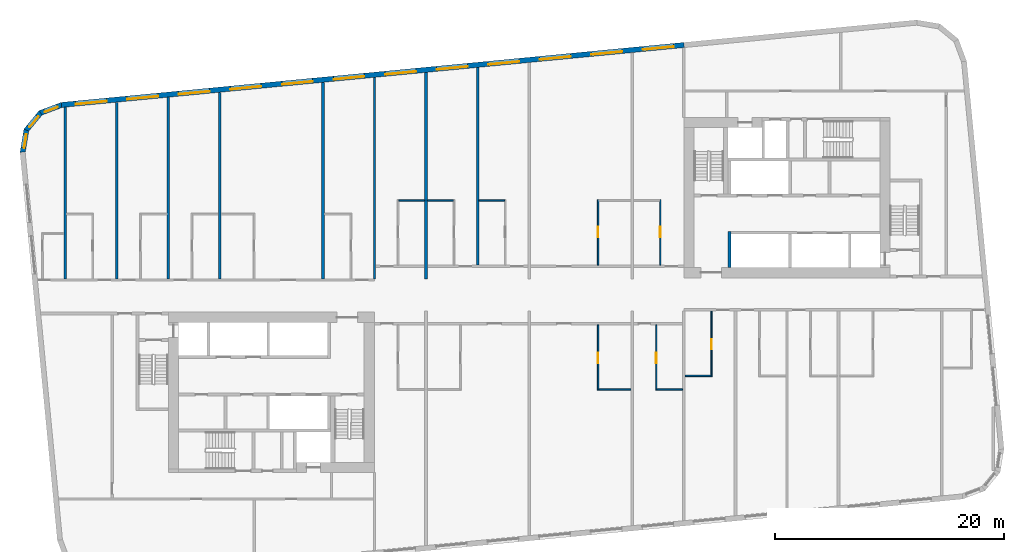
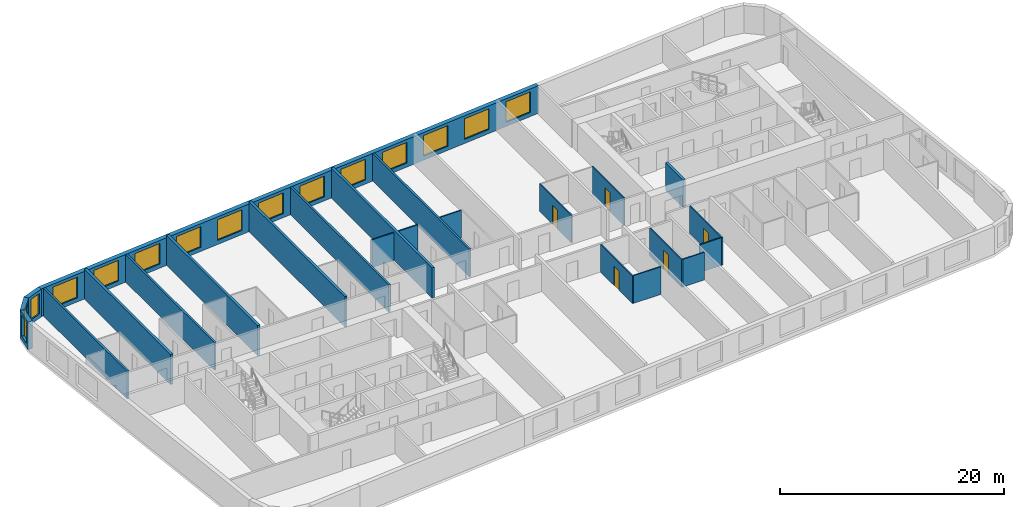
# One storey, part 5 of 12: 24 walls, 15 windows, 5 doors, 20 openings.
"""IFC4 building model written with IfcOpenShell, lengths in metres."""

import ifcopenshell
import ifcopenshell.guid

model = None  # the IFC model being written
_history = None  # IfcOwnerHistory: only IFC2X3 demands one
_inside = {}  # id of a spatial element -> (the spatial element, [elements in it])
_under = {}  # id of a project, library or spatial element -> (it, [spatial elements below it])
_declared = {}  # id of a project -> (the project, [libraries it declares])
_typed = {}  # id of a type object -> (the type object, [elements of that type])
_made_of = {}  # id of a material, layer set ... -> (it, [elements and type objects made of it])


def new_model(schema):
    """Start an empty IFC model of exactly this schema.

    Asked for "IFC4X3", IfcOpenShell would pick the latest addendum, in which some entities
    have other attributes; the version numbers below select the first issue.
    IFC2X3 requires an IfcOwnerHistory on every rooted entity: one is made here for all.
    """
    global model, _history
    if schema == "IFC4X3":
        model = ifcopenshell.file(schema_version=(4, 3, 0, 0))
    else:
        model = ifcopenshell.file(schema=schema)
    _inside.clear()
    _under.clear()
    _declared.clear()
    _typed.clear()
    _made_of.clear()
    _history = None
    if model.schema == "IFC2X3":
        org = make("IfcOrganization", Name="unknown")
        user = make(
            "IfcPersonAndOrganization",
            ThePerson=make("IfcPerson", FamilyName="unknown"),
            TheOrganization=org,
        )
        app = make(
            "IfcApplication",
            ApplicationDeveloper=org,
            Version="unknown",
            ApplicationFullName="unknown",
            ApplicationIdentifier="unknown",
        )
        _history = make(
            "IfcOwnerHistory",
            OwningUser=user,
            OwningApplication=app,
            ChangeAction="ADDED",
            CreationDate=0,
        )
    return model


def make(cls, **values):
    """One entity of the class cls with the attributes given. An attribute that is None is left unset."""
    return model.create_entity(
        cls, **{name: value for name, value in values.items() if value is not None}
    )


def rooted(cls, **values):
    """An entity with a GlobalId (a new one), such as an element, a storey or a relation."""
    return make(cls, GlobalId=ifcopenshell.guid.new(), OwnerHistory=_history, **values)


def si_unit(unit_type, name, prefix=None):
    """IfcSIUnit, for example si_unit("LENGTHUNIT", "METRE", prefix="MILLI")."""
    return make("IfcSIUnit", UnitType=unit_type, Prefix=prefix, Name=name)


def assignment(units):
    """IfcUnitAssignment: the units of a project."""
    return None if units is None else make("IfcUnitAssignment", Units=units)


def point(xyz):
    """IfcCartesianPoint."""
    return None if xyz is None else make("IfcCartesianPoint", Coordinates=xyz)


def direction(xyz):
    """IfcDirection."""
    return None if xyz is None else make("IfcDirection", DirectionRatios=xyz)


def frame(location, z_axis=None, x_axis=None):
    """IfcAxis2Placement3D, a coordinate frame: its origin and axes. An axis left out is left unset."""
    return make(
        "IfcAxis2Placement3D",
        Location=point(location),
        Axis=direction(z_axis),
        RefDirection=direction(x_axis),
    )


def frame_2d(location, x_axis=None):
    """IfcAxis2Placement2D, a coordinate frame in the plane: its origin and x axis."""
    return make(
        "IfcAxis2Placement2D", Location=point(location), RefDirection=direction(x_axis)
    )


def origin():
    """The frame at (0, 0, 0) with its axes left unset."""
    return frame((0.0, 0.0, 0.0))


def place(relative_to, where):
    """IfcLocalPlacement: puts the frame where relative to a parent placement (None: the world)."""
    return make(
        "IfcLocalPlacement", PlacementRelTo=relative_to, RelativePlacement=where
    )


def context(
    kind, dimensions, precision=None, world=None, true_north=None, identifier=None
):
    """IfcGeometricRepresentationContext, for example the 3D "Model" context."""
    return make(
        "IfcGeometricRepresentationContext",
        ContextIdentifier=identifier,
        ContextType=kind,
        CoordinateSpaceDimension=dimensions,
        Precision=precision,
        WorldCoordinateSystem=world,
        TrueNorth=true_north,
    )


def subcontext(parent, identifier, kind, view, scale=None):
    """IfcGeometricRepresentationSubContext, for example "Body" below "Model"."""
    return make(
        "IfcGeometricRepresentationSubContext",
        ContextIdentifier=identifier,
        ContextType=kind,
        ParentContext=parent,
        TargetScale=scale,
        TargetView=view,
    )


def project(units=None, contexts=None):
    """IfcProject with its units and contexts."""
    return rooted(
        "IfcProject",
        Name="project",
        RepresentationContexts=contexts,
        UnitsInContext=assignment(units),
    )


def spatial(cls, under=None, at=None, **own):
    """A site, building, storey or space (cls), placed at a placement, below another one or the project."""
    s = rooted(cls, ObjectPlacement=at, **own)
    if under is not None:
        _under.setdefault(under.id(), (under, []))[1].append(s)
    return s


def polyline(points):
    """IfcPolyline through the points."""
    return make("IfcPolyline", Points=[point(p) for p in points])


def profile(cls, at=None, kind="AREA", **sizes):
    """A parametric profile (cls). Its sizes go by their IFC names, for example OverallWidth=200.0."""
    return make(cls, ProfileType=kind, Position=at, **sizes)


def rectangle(**sizes):
    """IfcRectangleProfileDef."""
    return profile("IfcRectangleProfileDef", **sizes)


def outline(outer, holes=None, kind="AREA"):
    """IfcArbitraryClosedProfileDef: a profile drawn as a closed curve; with holes, ...WithVoids."""
    if holes is None:
        return make("IfcArbitraryClosedProfileDef", ProfileType=kind, OuterCurve=outer)
    return make(
        "IfcArbitraryProfileDefWithVoids",
        ProfileType=kind,
        OuterCurve=outer,
        InnerCurves=holes,
    )


def extrude(swept, where, along, depth):
    """IfcExtrudedAreaSolid: the profile swept, set in the frame where, extruded along a direction by depth."""
    return make(
        "IfcExtrudedAreaSolid",
        SweptArea=swept,
        Position=where,
        ExtrudedDirection=direction(along),
        Depth=depth,
    )


def shape(context_of_items, identifier, shape_type, items):
    """IfcShapeRepresentation: the items that make up one representation, for example the "Body"."""
    return make(
        "IfcShapeRepresentation",
        ContextOfItems=context_of_items,
        RepresentationIdentifier=identifier,
        RepresentationType=shape_type,
        Items=items,
    )


def material(Name=None, Category=None):
    """IfcMaterial."""
    return make("IfcMaterial", Name=Name, Category=Category)


def layer(
    of_material, thickness, ventilated=None, Name=None, Category=None, Priority=None
):
    """IfcMaterialLayer: one layer of a wall or slab, of a material (None: an air gap)."""
    return make(
        "IfcMaterialLayer",
        Material=of_material,
        LayerThickness=thickness,
        IsVentilated=ventilated,
        Name=Name,
        Category=Category,
        Priority=Priority,
    )


def layer_set(layers, Name=None):
    """IfcMaterialLayerSet."""
    return make("IfcMaterialLayerSet", MaterialLayers=layers, LayerSetName=Name)


def made_of(thing, what):
    """Note that an element or type object is made of a material, layer set ...; save() writes the relation."""
    if what is not None:
        _made_of.setdefault(what.id(), (what, []))[1].append(thing)
    return thing


def type_object(cls, material=None, **own):
    """A type object (cls), such as IfcWallType, which elements share."""
    return made_of(rooted(cls, **own), material)


def element(
    cls,
    number,
    at=None,
    inside=None,
    cuts=None,
    type_object=None,
    material=None,
    context=None,
    identifier="Body",
    shape_type=None,
    held_by="IfcProductDefinitionShape",
    body=None,
    shapes=None,
    **own,
):
    """One element of the class cls, such as IfcWall. Its Tag is "e" and its number.

    at: its placement. inside: the storey or other place that contains it. cuts: it is an
    opening in that element (IfcRelVoidsElement). A single representation is given by context,
    identifier, shape_type and body (its items); several are given by shapes. held_by: the class
    of the entity that holds the representations. save() writes the other relations.
    """
    e = rooted(cls, Tag="e%d" % number, ObjectPlacement=at, **own)
    if body is not None:
        shapes = [shape(context, identifier, shape_type, body)]
    if shapes is not None:
        e.Representation = make(held_by, Representations=shapes)
    if inside is not None:
        _inside.setdefault(inside.id(), (inside, []))[1].append(e)
    if cuts is not None:
        rooted(
            "IfcRelVoidsElement", RelatingBuildingElement=cuts, RelatedOpeningElement=e
        )
    if type_object is not None:
        _typed.setdefault(type_object.id(), (type_object, []))[1].append(e)
    return made_of(e, material)


def fill(opening, filler):
    """IfcRelFillsElement: the door or window that sits in an opening."""
    return rooted(
        "IfcRelFillsElement",
        RelatingOpeningElement=opening,
        RelatedBuildingElement=filler,
    )


def aggregate(whole, parts):
    """IfcRelAggregates: a whole, such as a stair, and the parts it consists of."""
    return rooted("IfcRelAggregates", RelatingObject=whole, RelatedObjects=parts)


def save(model, path):
    """Write the relations noted so far, then the file.

    IfcRelAggregates (storeys below a building ...), IfcRelContainedInSpatialStructure (elements
    in a storey), IfcRelDefinesByType, IfcRelAssociatesMaterial and IfcRelDeclares: one each for
    every whole, place, type object, material and project.
    """
    for whole, parts in _under.values():
        aggregate(whole, parts)
    for where, things in _inside.values():
        rooted(
            "IfcRelContainedInSpatialStructure",
            RelatedElements=things,
            RelatingStructure=where,
        )
    for kind, things in _typed.values():
        rooted("IfcRelDefinesByType", RelatedObjects=things, RelatingType=kind)
    for what, things in _made_of.values():
        rooted("IfcRelAssociatesMaterial", RelatedObjects=things, RelatingMaterial=what)
    for by, libraries in _declared.values():
        rooted("IfcRelDeclares", RelatingContext=by, RelatedDefinitions=libraries)
    model.write(path)


model = new_model("IFC4")

# Units and contexts
model_context = context("Model", 3, precision=1e-05, world=origin(), true_north=direction((0.0, 1.0)))
body_context = subcontext(model_context, "Body", "Model", "MODEL_VIEW")
ifc_project = project(units=[si_unit("LENGTHUNIT", "METRE"), si_unit("AREAUNIT", "SQUARE_METRE"), si_unit("VOLUMEUNIT", "CUBIC_METRE"), si_unit("PLANEANGLEUNIT", "RADIAN"), si_unit("MASSUNIT", "GRAM", prefix="KILO")], contexts=[model_context])

# Site, building, storey
site_placement = place(None, origin())
site = spatial("IfcSite", under=ifc_project, at=site_placement, CompositionType="ELEMENT")
building_placement = place(site_placement, origin())
building = spatial("IfcBuilding", under=site, at=building_placement, Name="Kajstack Hotel Tower", CompositionType="ELEMENT")
storey_placement = place(building_placement, frame((0.0, 0.0, 170.199951171875)))
storey = spatial("IfcBuildingStorey", under=building, at=storey_placement, Name="L39", CompositionType="ELEMENT", Elevation=170.199951171875)

# Walls
ifc_material_1 = material(Name="Twin-frame gypsum board on steel studs, mineral wool", Category="steel")
ifc_layer_1 = layer(ifc_material_1, 0.199951171875)
ifc_layer_set_1 = layer_set([ifc_layer_1], Name="Demising wall 200")
wall_type_1 = type_object("IfcWallType", Name="Demising wall 200", PredefinedType="PARTITIONING", material=ifc_layer_set_1)
wall_1_placement = place(storey_placement, frame((-40.5, 1.39990234375, 0.0), z_axis=(0.0, 0.0, 1.0), x_axis=(0.0, 1.0, 0.0)))
element("IfcWall", 1, at=wall_1_placement, inside=storey, type_object=wall_type_1, Name="G-wall-L39-005", PredefinedType="PARTITIONING", context=body_context, shape_type="SweptSolid", body=[
    extrude(rectangle(XDim=14.989990234375, YDim=0.199951171875, at=frame_2d((7.4951171875, 0.0))), origin(), (0.0, 0.0, 1.0), 3.02001953125),
])
wall_2_placement = place(storey_placement, frame((-31.5, 1.39990234375, 0.0), z_axis=(0.0, 0.0, 1.0), x_axis=(0.0, 1.0, 0.0)))
element("IfcWall", 2, at=wall_2_placement, inside=storey, type_object=wall_type_1, Name="G-wall-L39-010", PredefinedType="PARTITIONING", context=body_context, shape_type="SweptSolid", body=[
    extrude(rectangle(XDim=15.856201171875, YDim=0.199951171875, at=frame_2d((7.92822265625, 0.0))), origin(), (0.0, 0.0, 1.0), 3.02001953125),
])
wall_3_placement = place(storey_placement, frame((-13.5, 1.39990234375, 0.0), z_axis=(0.0, 0.0, 1.0), x_axis=(0.0, 1.0, 0.0)))
element("IfcWall", 3, at=wall_3_placement, inside=storey, type_object=wall_type_1, Name="G-wall-L39-017", PredefinedType="PARTITIONING", context=body_context, shape_type="SweptSolid", body=[
    extrude(rectangle(XDim=17.590087890625, YDim=0.199951171875, at=frame_2d((8.794921875, 0.0))), origin(), (0.0, 0.0, 1.0), 3.02001953125),
])
wall_4_placement = place(storey_placement, frame((-4.5, 2.60009765625, 0.0), z_axis=(0.0, 0.0, 1.0), x_axis=(0.0, 1.0, 0.0)))
element("IfcWall", 4, at=wall_4_placement, inside=storey, type_object=wall_type_1, Name="G-wall-L39-022", PredefinedType="PARTITIONING", context=body_context, shape_type="SweptSolid", body=[
    extrude(rectangle(XDim=17.255859375, YDim=0.199951171875, at=frame_2d((8.6279296875, 0.0))), origin(), (0.0, 0.0, 1.0), 3.02001953125),
])

# Wall, openings, windows
ifc_material_2 = material(Name="Terracotta-faced brick masonry", Category="masonry")
ifc_layer_2 = layer(ifc_material_2, 0.449951171875)
ifc_layer_set_2 = layer_set([ifc_layer_2], Name="EW-TERRA")
wall_type_2 = type_object("IfcWallType", Name="EW-TERRA", PredefinedType="SOLIDWALL", material=ifc_layer_set_2)
wall_5_placement = place(storey_placement, frame((13.521484375, 21.8173828125, 0.0), z_axis=(0.0, 0.0, 1.0), x_axis=(-0.995396508751, -0.095842529008, 0.0)))
wall_5 = element("IfcWall", 5, at=wall_5_placement, inside=storey, type_object=wall_type_2, Name="E-wall-L39-12-02", PredefinedType="SOLIDWALL", context=body_context, shape_type="SweptSolid", body=[
    extrude(rectangle(XDim=54.59130859375, YDim=0.449951171875, at=frame_2d((27.295654296875, 0.0))), origin(), (0.0, 0.0, 1.0), 3.02001953125),
])
opening_1_placement = place(wall_5_placement, frame((0.910400390625, 0.0, 0.449951171875)))
opening_1 = element("IfcOpeningElement", 6, at=opening_1_placement, cuts=wall_5, Name="Opening W1", PredefinedType="OPENING", context=body_context, shape_type="SweptSolid", body=[
    extrude(rectangle(XDim=2.699951171875, YDim=2.25, at=frame_2d((1.35009765625, 1.125))), frame((0.0, 0.23486328125, 0.0), z_axis=(0.0, -1.0, 0.0), x_axis=(1.0, 0.0, 0.0)), (0.0, 0.0, 1.0), 0.469970703125),
])
opening_2_placement = place(wall_5_placement, frame((5.43115234375, 0.0, 0.449951171875)))
opening_2 = element("IfcOpeningElement", 7, at=opening_2_placement, cuts=wall_5, Name="Opening W1", PredefinedType="OPENING", context=body_context, shape_type="SweptSolid", body=[
    extrude(rectangle(XDim=2.699951171875, YDim=2.25, at=frame_2d((1.35009765625, 1.125))), frame((0.0, 0.23486328125, 0.0), z_axis=(0.0, -1.0, 0.0), x_axis=(1.0, 0.0, 0.0)), (0.0, 0.0, 1.0), 0.469970703125),
])
opening_3_placement = place(wall_5_placement, frame((9.951904296875, 0.0, 0.449951171875)))
opening_3 = element("IfcOpeningElement", 8, at=opening_3_placement, cuts=wall_5, Name="Opening W1", PredefinedType="OPENING", context=body_context, shape_type="SweptSolid", body=[
    extrude(rectangle(XDim=2.699951171875, YDim=2.25, at=frame_2d((1.35009765625, 1.125))), frame((0.0, 0.23486328125, 0.0), z_axis=(0.0, -1.0, 0.0), x_axis=(1.0, 0.0, 0.0)), (0.0, 0.0, 1.0), 0.469970703125),
])
opening_4_placement = place(wall_5_placement, frame((14.472900390625, 0.0, 0.449951171875)))
opening_4 = element("IfcOpeningElement", 9, at=opening_4_placement, cuts=wall_5, Name="Opening W1", PredefinedType="OPENING", context=body_context, shape_type="SweptSolid", body=[
    extrude(rectangle(XDim=2.699951171875, YDim=2.25, at=frame_2d((1.35009765625, 1.125))), frame((0.0, 0.23486328125, 0.0), z_axis=(0.0, -1.0, 0.0), x_axis=(1.0, 0.0, 0.0)), (0.0, 0.0, 1.0), 0.469970703125),
])
opening_5_placement = place(wall_5_placement, frame((18.99365234375, 0.0, 0.449951171875)))
opening_5 = element("IfcOpeningElement", 10, at=opening_5_placement, cuts=wall_5, Name="Opening W1", PredefinedType="OPENING", context=body_context, shape_type="SweptSolid", body=[
    extrude(rectangle(XDim=2.699951171875, YDim=2.25, at=frame_2d((1.35009765625, 1.125))), frame((0.0, 0.23486328125, 0.0), z_axis=(0.0, -1.0, 0.0), x_axis=(1.0, 0.0, 0.0)), (0.0, 0.0, 1.0), 0.469970703125),
])
opening_6_placement = place(wall_5_placement, frame((23.514404296875, 0.0, 0.449951171875)))
opening_6 = element("IfcOpeningElement", 11, at=opening_6_placement, cuts=wall_5, Name="Opening W1", PredefinedType="OPENING", context=body_context, shape_type="SweptSolid", body=[
    extrude(rectangle(XDim=2.699951171875, YDim=2.25, at=frame_2d((1.35009765625, 1.125))), frame((0.0, 0.23486328125, 0.0), z_axis=(0.0, -1.0, 0.0), x_axis=(1.0, 0.0, 0.0)), (0.0, 0.0, 1.0), 0.469970703125),
])
opening_7_placement = place(wall_5_placement, frame((28.03515625, 0.0, 0.449951171875)))
opening_7 = element("IfcOpeningElement", 12, at=opening_7_placement, cuts=wall_5, Name="Opening W1", PredefinedType="OPENING", context=body_context, shape_type="SweptSolid", body=[
    extrude(rectangle(XDim=2.699951171875, YDim=2.25, at=frame_2d((1.35009765625, 1.125))), frame((0.0, 0.23486328125, 0.0), z_axis=(0.0, -1.0, 0.0), x_axis=(1.0, 0.0, 0.0)), (0.0, 0.0, 1.0), 0.469970703125),
])
opening_8_placement = place(wall_5_placement, frame((32.555908203125, 0.0, 0.449951171875)))
opening_8 = element("IfcOpeningElement", 13, at=opening_8_placement, cuts=wall_5, Name="Opening W1", PredefinedType="OPENING", context=body_context, shape_type="SweptSolid", body=[
    extrude(rectangle(XDim=2.699951171875, YDim=2.25, at=frame_2d((1.35009765625, 1.125))), frame((0.0, 0.23486328125, 0.0), z_axis=(0.0, -1.0, 0.0), x_axis=(1.0, 0.0, 0.0)), (0.0, 0.0, 1.0), 0.469970703125),
])
opening_9_placement = place(wall_5_placement, frame((37.076904296875, 0.0, 0.449951171875)))
opening_9 = element("IfcOpeningElement", 14, at=opening_9_placement, cuts=wall_5, Name="Opening W1", PredefinedType="OPENING", context=body_context, shape_type="SweptSolid", body=[
    extrude(rectangle(XDim=2.699951171875, YDim=2.25, at=frame_2d((1.35009765625, 1.125))), frame((0.0, 0.23486328125, 0.0), z_axis=(0.0, -1.0, 0.0), x_axis=(1.0, 0.0, 0.0)), (0.0, 0.0, 1.0), 0.469970703125),
])
opening_10_placement = place(wall_5_placement, frame((41.59765625, 0.0, 0.449951171875)))
opening_10 = element("IfcOpeningElement", 15, at=opening_10_placement, cuts=wall_5, Name="Opening W1", PredefinedType="OPENING", context=body_context, shape_type="SweptSolid", body=[
    extrude(rectangle(XDim=2.699951171875, YDim=2.25, at=frame_2d((1.35009765625, 1.125))), frame((0.0, 0.23486328125, 0.0), z_axis=(0.0, -1.0, 0.0), x_axis=(1.0, 0.0, 0.0)), (0.0, 0.0, 1.0), 0.469970703125),
])
opening_11_placement = place(wall_5_placement, frame((46.118408203125, 0.0, 0.449951171875)))
opening_11 = element("IfcOpeningElement", 16, at=opening_11_placement, cuts=wall_5, Name="Opening W1", PredefinedType="OPENING", context=body_context, shape_type="SweptSolid", body=[
    extrude(rectangle(XDim=2.699951171875, YDim=2.25, at=frame_2d((1.35009765625, 1.125))), frame((0.0, 0.23486328125, 0.0), z_axis=(0.0, -1.0, 0.0), x_axis=(1.0, 0.0, 0.0)), (0.0, 0.0, 1.0), 0.469970703125),
])
opening_12_placement = place(wall_5_placement, frame((50.62890625, 0.0, 0.449951171875)))
opening_12 = element("IfcOpeningElement", 17, at=opening_12_placement, cuts=wall_5, Name="Opening W1", PredefinedType="OPENING", context=body_context, shape_type="SweptSolid", body=[
    extrude(rectangle(XDim=2.699951171875, YDim=2.25, at=frame_2d((1.35009765625, 1.125))), frame((0.0, 0.23486328125, 0.0), z_axis=(0.0, -1.0, 0.0), x_axis=(1.0, 0.0, 0.0)), (0.0, 0.0, 1.0), 0.469970703125),
])
ifc_material_3 = material(Name="Timber-aluminium window, triple glazed", Category="wood")
window_type_1 = type_object("IfcWindowType", Name="WG1", PartitioningType="SINGLE_PANEL", PredefinedType="WINDOW", material=ifc_material_3)
window_1_placement = place(opening_1_placement, origin())
window_1 = element("IfcWindow", 18, at=window_1_placement, inside=storey, type_object=window_type_1, Name="Window W1 L39-12", OverallHeight=2.25, OverallWidth=2.699951171875, PartitioningType="SINGLE_PANEL", PredefinedType="WINDOW", context=body_context, shape_type="SweptSolid", body=[
    extrude(rectangle(XDim=2.699951171875, YDim=2.25, at=frame_2d((1.35009765625, 1.125))), frame((0.0, 0.090087890625, 0.0), z_axis=(0.0, -1.0, 0.0), x_axis=(1.0, 0.0, 0.0)), (0.0, 0.0, 1.0), 0.06005859375),
])
fill(opening_1, window_1)
window_2_placement = place(opening_2_placement, origin())
window_2 = element("IfcWindow", 19, at=window_2_placement, inside=storey, type_object=window_type_1, Name="Window W1 L39-12", OverallHeight=2.25, OverallWidth=2.699951171875, PartitioningType="SINGLE_PANEL", PredefinedType="WINDOW", context=body_context, shape_type="SweptSolid", body=[
    extrude(rectangle(XDim=2.699951171875, YDim=2.25, at=frame_2d((1.35009765625, 1.125))), frame((0.0, 0.090087890625, 0.0), z_axis=(0.0, -1.0, 0.0), x_axis=(1.0, 0.0, 0.0)), (0.0, 0.0, 1.0), 0.06005859375),
])
fill(opening_2, window_2)
window_3_placement = place(opening_3_placement, origin())
window_3 = element("IfcWindow", 20, at=window_3_placement, inside=storey, type_object=window_type_1, Name="Window W1 L39-12", OverallHeight=2.25, OverallWidth=2.699951171875, PartitioningType="SINGLE_PANEL", PredefinedType="WINDOW", context=body_context, shape_type="SweptSolid", body=[
    extrude(rectangle(XDim=2.699951171875, YDim=2.25, at=frame_2d((1.35009765625, 1.125))), frame((0.0, 0.090087890625, 0.0), z_axis=(0.0, -1.0, 0.0), x_axis=(1.0, 0.0, 0.0)), (0.0, 0.0, 1.0), 0.06005859375),
])
fill(opening_3, window_3)
window_4_placement = place(opening_4_placement, origin())
window_4 = element("IfcWindow", 21, at=window_4_placement, inside=storey, type_object=window_type_1, Name="Window W1 L39-12", OverallHeight=2.25, OverallWidth=2.699951171875, PartitioningType="SINGLE_PANEL", PredefinedType="WINDOW", context=body_context, shape_type="SweptSolid", body=[
    extrude(rectangle(XDim=2.699951171875, YDim=2.25, at=frame_2d((1.35009765625, 1.125))), frame((0.0, 0.090087890625, 0.0), z_axis=(0.0, -1.0, 0.0), x_axis=(1.0, 0.0, 0.0)), (0.0, 0.0, 1.0), 0.06005859375),
])
fill(opening_4, window_4)
window_5_placement = place(opening_5_placement, origin())
window_5 = element("IfcWindow", 22, at=window_5_placement, inside=storey, type_object=window_type_1, Name="Window W1 L39-12", OverallHeight=2.25, OverallWidth=2.699951171875, PartitioningType="SINGLE_PANEL", PredefinedType="WINDOW", context=body_context, shape_type="SweptSolid", body=[
    extrude(rectangle(XDim=2.699951171875, YDim=2.25, at=frame_2d((1.35009765625, 1.125))), frame((0.0, 0.090087890625, 0.0), z_axis=(0.0, -1.0, 0.0), x_axis=(1.0, 0.0, 0.0)), (0.0, 0.0, 1.0), 0.06005859375),
])
fill(opening_5, window_5)
window_6_placement = place(opening_6_placement, origin())
window_6 = element("IfcWindow", 23, at=window_6_placement, inside=storey, type_object=window_type_1, Name="Window W1 L39-12", OverallHeight=2.25, OverallWidth=2.699951171875, PartitioningType="SINGLE_PANEL", PredefinedType="WINDOW", context=body_context, shape_type="SweptSolid", body=[
    extrude(rectangle(XDim=2.699951171875, YDim=2.25, at=frame_2d((1.35009765625, 1.125))), frame((0.0, 0.090087890625, 0.0), z_axis=(0.0, -1.0, 0.0), x_axis=(1.0, 0.0, 0.0)), (0.0, 0.0, 1.0), 0.06005859375),
])
fill(opening_6, window_6)
window_7_placement = place(opening_7_placement, origin())
window_7 = element("IfcWindow", 24, at=window_7_placement, inside=storey, type_object=window_type_1, Name="Window W1 L39-12", OverallHeight=2.25, OverallWidth=2.699951171875, PartitioningType="SINGLE_PANEL", PredefinedType="WINDOW", context=body_context, shape_type="SweptSolid", body=[
    extrude(rectangle(XDim=2.699951171875, YDim=2.25, at=frame_2d((1.35009765625, 1.125))), frame((0.0, 0.090087890625, 0.0), z_axis=(0.0, -1.0, 0.0), x_axis=(1.0, 0.0, 0.0)), (0.0, 0.0, 1.0), 0.06005859375),
])
fill(opening_7, window_7)
window_8_placement = place(opening_8_placement, origin())
window_8 = element("IfcWindow", 25, at=window_8_placement, inside=storey, type_object=window_type_1, Name="Window W1 L39-12", OverallHeight=2.25, OverallWidth=2.699951171875, PartitioningType="SINGLE_PANEL", PredefinedType="WINDOW", context=body_context, shape_type="SweptSolid", body=[
    extrude(rectangle(XDim=2.699951171875, YDim=2.25, at=frame_2d((1.35009765625, 1.125))), frame((0.0, 0.090087890625, 0.0), z_axis=(0.0, -1.0, 0.0), x_axis=(1.0, 0.0, 0.0)), (0.0, 0.0, 1.0), 0.06005859375),
])
fill(opening_8, window_8)
window_9_placement = place(opening_9_placement, origin())
window_9 = element("IfcWindow", 26, at=window_9_placement, inside=storey, type_object=window_type_1, Name="Window W1 L39-12", OverallHeight=2.25, OverallWidth=2.699951171875, PartitioningType="SINGLE_PANEL", PredefinedType="WINDOW", context=body_context, shape_type="SweptSolid", body=[
    extrude(rectangle(XDim=2.699951171875, YDim=2.25, at=frame_2d((1.35009765625, 1.125))), frame((0.0, 0.090087890625, 0.0), z_axis=(0.0, -1.0, 0.0), x_axis=(1.0, 0.0, 0.0)), (0.0, 0.0, 1.0), 0.06005859375),
])
fill(opening_9, window_9)
window_10_placement = place(opening_10_placement, origin())
window_10 = element("IfcWindow", 27, at=window_10_placement, inside=storey, type_object=window_type_1, Name="Window W1 L39-12", OverallHeight=2.25, OverallWidth=2.699951171875, PartitioningType="SINGLE_PANEL", PredefinedType="WINDOW", context=body_context, shape_type="SweptSolid", body=[
    extrude(rectangle(XDim=2.699951171875, YDim=2.25, at=frame_2d((1.35009765625, 1.125))), frame((0.0, 0.090087890625, 0.0), z_axis=(0.0, -1.0, 0.0), x_axis=(1.0, 0.0, 0.0)), (0.0, 0.0, 1.0), 0.06005859375),
])
fill(opening_10, window_10)
window_11_placement = place(opening_11_placement, origin())
window_11 = element("IfcWindow", 28, at=window_11_placement, inside=storey, type_object=window_type_1, Name="Window W1 L39-12", OverallHeight=2.25, OverallWidth=2.699951171875, PartitioningType="SINGLE_PANEL", PredefinedType="WINDOW", context=body_context, shape_type="SweptSolid", body=[
    extrude(rectangle(XDim=2.699951171875, YDim=2.25, at=frame_2d((1.35009765625, 1.125))), frame((0.0, 0.090087890625, 0.0), z_axis=(0.0, -1.0, 0.0), x_axis=(1.0, 0.0, 0.0)), (0.0, 0.0, 1.0), 0.06005859375),
])
fill(opening_11, window_11)
window_12_placement = place(opening_12_placement, origin())
window_12 = element("IfcWindow", 29, at=window_12_placement, inside=storey, type_object=window_type_1, Name="Window W1 L39-12", OverallHeight=2.25, OverallWidth=2.699951171875, PartitioningType="SINGLE_PANEL", PredefinedType="WINDOW", context=body_context, shape_type="SweptSolid", body=[
    extrude(rectangle(XDim=2.699951171875, YDim=2.25, at=frame_2d((1.35009765625, 1.125))), frame((0.0, 0.090087890625, 0.0), z_axis=(0.0, -1.0, 0.0), x_axis=(1.0, 0.0, 0.0)), (0.0, 0.0, 1.0), 0.06005859375),
])
fill(opening_12, window_12)

# Wall, opening, window
wall_6_placement = place(storey_placement, frame((-40.76123046875, 16.598388671875, 0.0), z_axis=(0.0, 0.0, 1.0), x_axis=(-0.936677599948, -0.350192909346, 0.0)))
wall_6 = element("IfcWall", 30, at=wall_6_placement, inside=storey, type_object=wall_type_2, Name="E-wall-L39-13-00", PredefinedType="SOLIDWALL", context=body_context, shape_type="SweptSolid", body=[
    extrude(outline(polyline([(0.0, -0.22509765625), (2.070556640625, -0.224853515625), (1.949951171875, 0.22509765625), (0.12060546875, 0.22509765625), (0.0, -0.22509765625)])), origin(), (0.0, 0.0, 1.0), 3.02001953125),
])
opening_13_placement = place(wall_6_placement, frame((0.435302734375, 0.0, 0.449951171875)))
opening_13 = element("IfcOpeningElement", 31, at=opening_13_placement, cuts=wall_6, Name="Opening W3", PredefinedType="OPENING", context=body_context, shape_type="SweptSolid", body=[
    extrude(rectangle(XDim=1.199951171875, YDim=2.25, at=frame_2d((0.60009765625, 1.125))), frame((0.0, 0.23486328125, 0.0), z_axis=(0.0, -1.0, 0.0), x_axis=(1.0, 0.0, 0.0)), (0.0, 0.0, 1.0), 0.469970703125),
])
window_type_2 = type_object("IfcWindowType", Name="WG3", PartitioningType="SINGLE_PANEL", PredefinedType="WINDOW", material=ifc_material_3)
window_13_placement = place(opening_13_placement, origin())
window_13 = element("IfcWindow", 32, at=window_13_placement, inside=storey, type_object=window_type_2, Name="Window W3 L39-13", OverallHeight=2.25, OverallWidth=1.199951171875, PartitioningType="SINGLE_PANEL", PredefinedType="WINDOW", context=body_context, shape_type="SweptSolid", body=[
    extrude(rectangle(XDim=1.199951171875, YDim=2.25, at=frame_2d((0.60009765625, 1.125))), frame((0.0, 0.090087890625, 0.0), z_axis=(0.0, -1.0, 0.0), x_axis=(1.0, 0.0, 0.0)), (0.0, 0.0, 1.0), 0.06005859375),
])
fill(opening_13, window_13)

wall_7_placement = place(storey_placement, frame((-42.60595703125, 15.94091796875, 0.0), z_axis=(0.0, 0.0, 1.0), x_axis=(-0.636116318187, -0.771593176315, 0.0)))
wall_7 = element("IfcWall", 33, at=wall_7_placement, inside=storey, type_object=wall_type_2, Name="E-wall-L39-14-00", PredefinedType="SOLIDWALL", context=body_context, shape_type="SweptSolid", body=[
    extrude(outline(polyline([(0.0, -0.224853515625), (2.070556640625, -0.224853515625), (1.949951171875, 0.22509765625), (0.12060546875, 0.22509765625), (0.0, -0.224853515625)])), origin(), (0.0, 0.0, 1.0), 3.02001953125),
])
opening_14_placement = place(wall_7_placement, frame((0.435302734375, 0.0, 0.449951171875)))
opening_14 = element("IfcOpeningElement", 34, at=opening_14_placement, cuts=wall_7, Name="Opening W3", PredefinedType="OPENING", context=body_context, shape_type="SweptSolid", body=[
    extrude(rectangle(XDim=1.199951171875, YDim=2.25, at=frame_2d((0.60009765625, 1.125))), frame((0.0, 0.23486328125, 0.0), z_axis=(0.0, -1.0, 0.0), x_axis=(1.0, 0.0, 0.0)), (0.0, 0.0, 1.0), 0.469970703125),
])
window_14_placement = place(opening_14_placement, origin())
window_14 = element("IfcWindow", 35, at=window_14_placement, inside=storey, type_object=window_type_2, Name="Window W3 L39-14", OverallHeight=2.25, OverallWidth=1.199951171875, PartitioningType="SINGLE_PANEL", PredefinedType="WINDOW", context=body_context, shape_type="SweptSolid", body=[
    extrude(rectangle(XDim=1.199951171875, YDim=2.25, at=frame_2d((0.60009765625, 1.125))), frame((0.0, 0.090087890625, 0.0), z_axis=(0.0, -1.0, 0.0), x_axis=(1.0, 0.0, 0.0)), (0.0, 0.0, 1.0), 0.06005859375),
])
fill(opening_14, window_14)

wall_8_placement = place(storey_placement, frame((-43.874755859375, 14.44921875, 0.0), z_axis=(0.0, 0.0, 1.0), x_axis=(-0.164953448126, -0.986301353518, 0.0)))
wall_8 = element("IfcWall", 36, at=wall_8_placement, inside=storey, type_object=wall_type_2, Name="E-wall-L39-15-00", PredefinedType="SOLIDWALL", context=body_context, shape_type="SweptSolid", body=[
    extrude(outline(polyline([(0.0, -0.224853515625), (2.070556640625, -0.22509765625), (1.9501953125, 0.224853515625), (0.12060546875, 0.22509765625), (0.0, -0.224853515625)])), origin(), (0.0, 0.0, 1.0), 3.02001953125),
])
opening_15_placement = place(wall_8_placement, frame((0.435302734375, 0.0, 0.449951171875)))
opening_15 = element("IfcOpeningElement", 37, at=opening_15_placement, cuts=wall_8, Name="Opening W3", PredefinedType="OPENING", context=body_context, shape_type="SweptSolid", body=[
    extrude(rectangle(XDim=1.199951171875, YDim=2.25, at=frame_2d((0.60009765625, 1.125))), frame((0.0, 0.23486328125, 0.0), z_axis=(0.0, -1.0, 0.0), x_axis=(1.0, 0.0, 0.0)), (0.0, 0.0, 1.0), 0.469970703125),
])
window_15_placement = place(opening_15_placement, origin())
window_15 = element("IfcWindow", 38, at=window_15_placement, inside=storey, type_object=window_type_2, Name="Window W3 L39-15", OverallHeight=2.25, OverallWidth=1.199951171875, PartitioningType="SINGLE_PANEL", PredefinedType="WINDOW", context=body_context, shape_type="SweptSolid", body=[
    extrude(rectangle(XDim=1.199951171875, YDim=2.25, at=frame_2d((0.60009765625, 1.125))), frame((0.0, 0.090087890625, 0.0), z_axis=(0.0, -1.0, 0.0), x_axis=(1.0, 0.0, 0.0)), (0.0, 0.0, 1.0), 0.06005859375),
])
fill(opening_15, window_15)

# Walls
ifc_material_4 = material(Name="Gypsum board and tiled backer on steel studs", Category="steel")
ifc_layer_3 = layer(ifc_material_4, 0.125)
ifc_layer_set_3 = layer_set([ifc_layer_3], Name="En-suite wall 125")
wall_type_3 = type_object("IfcWallType", Name="En-suite wall 125", PredefinedType="PARTITIONING", material=ifc_layer_set_3)
for number, where, z_axis, x_axis, name in (
    (39, (-11.375, 8.261962890625, 0.0), (0.0, 0.0, 1.0), (1.0, 0.0, 0.0), "G-wall-L39-021"),
    (40, (-8.875, 8.261962890625, 0.0), (0.0, 0.0, 1.0), (1.0, 0.0, 0.0), "G-wall-L39-024"),
    (41, (-4.39990234375, 8.261962890625, 0.0), (0.0, 0.0, 1.0), (1.0, 0.0, 0.0), "G-wall-L39-026"),
):
    element("IfcWall", number, at=place(storey_placement, frame(where, z_axis=z_axis, x_axis=x_axis)), inside=storey, type_object=wall_type_3, Name=name, PredefinedType="PARTITIONING", context=body_context, shape_type="SweptSolid", body=[
        extrude(rectangle(XDim=2.25, YDim=0.125, at=frame_2d((1.125, 0.0))), origin(), (0.0, 0.0, 1.0), 3.02001953125),
    ])

# Wall, opening, door
wall_9_placement = place(storey_placement, frame((6.012939453125, 2.60009765625, 0.0), z_axis=(0.0, 0.0, 1.0), x_axis=(0.0, 1.0, 0.0)))
wall_9 = element("IfcWall", 42, at=wall_9_placement, inside=storey, type_object=wall_type_3, Name="G-wall-L39-027", PredefinedType="PARTITIONING", context=body_context, shape_type="SweptSolid", body=[
    extrude(rectangle(XDim=5.724853515625, YDim=0.125, at=frame_2d((2.8623046875, 0.0))), origin(), (0.0, 0.0, 1.0), 3.02001953125),
])
opening_16_placement = place(wall_9_placement, frame((2.449951171875, 0.0, 0.0)))
opening_16 = element("IfcOpeningElement", 43, at=opening_16_placement, cuts=wall_9, Name="Opening 39020", PredefinedType="OPENING", context=body_context, shape_type="SweptSolid", body=[
    extrude(rectangle(XDim=0.89990234375, YDim=2.10009765625, at=frame_2d((0.449951171875, 1.050048828125))), frame((0.0, 0.072509765625, 0.0), z_axis=(0.0, -1.0, 0.0), x_axis=(1.0, 0.0, 0.0)), (0.0, 0.0, 1.0), 0.14501953125),
])
ifc_material_5 = material(Name="Painted timber door leaf", Category="wood")
door_type = type_object("IfcDoorType", Name="Room door 900", OperationType="SINGLE_SWING_LEFT", PredefinedType="DOOR", material=ifc_material_5)
door_1_placement = place(opening_16_placement, origin())
door_1 = element("IfcDoor", 44, at=door_1_placement, inside=storey, type_object=door_type, Name="G-door-L39-20", OperationType="SINGLE_SWING_LEFT", OverallHeight=2.10009765625, OverallWidth=0.89990234375, PredefinedType="DOOR", context=body_context, shape_type="SweptSolid", body=[
    extrude(rectangle(XDim=0.89990234375, YDim=2.10009765625, at=frame_2d((0.449951171875, 1.050048828125))), frame((0.0, 0.02490234375, 0.0), z_axis=(0.0, -1.0, 0.0), x_axis=(1.0, 0.0, 0.0)), (0.0, 0.0, 1.0), 0.050048828125),
])
fill(opening_16, door_1)

wall_10_placement = place(storey_placement, frame((11.43798828125, 2.60009765625, 0.0), z_axis=(0.0, 0.0, 1.0), x_axis=(0.0, 1.0, 0.0)))
wall_10 = element("IfcWall", 45, at=wall_10_placement, inside=storey, type_object=wall_type_3, Name="G-wall-L39-029", PredefinedType="PARTITIONING", context=body_context, shape_type="SweptSolid", body=[
    extrude(rectangle(XDim=5.724853515625, YDim=0.125, at=frame_2d((2.8623046875, 0.0))), origin(), (0.0, 0.0, 1.0), 3.02001953125),
])
opening_17_placement = place(wall_10_placement, frame((2.449951171875, 0.0, 0.0)))
opening_17 = element("IfcOpeningElement", 46, at=opening_17_placement, cuts=wall_10, Name="Opening 39022", PredefinedType="OPENING", context=body_context, shape_type="SweptSolid", body=[
    extrude(rectangle(XDim=0.89990234375, YDim=2.10009765625, at=frame_2d((0.449951171875, 1.050048828125))), frame((0.0, 0.072509765625, 0.0), z_axis=(0.0, -1.0, 0.0), x_axis=(1.0, 0.0, 0.0)), (0.0, 0.0, 1.0), 0.14501953125),
])
door_2_placement = place(opening_17_placement, origin())
door_2 = element("IfcDoor", 47, at=door_2_placement, inside=storey, type_object=door_type, Name="G-door-L39-22", OperationType="SINGLE_SWING_LEFT", OverallHeight=2.10009765625, OverallWidth=0.89990234375, PredefinedType="DOOR", context=body_context, shape_type="SweptSolid", body=[
    extrude(rectangle(XDim=0.89990234375, YDim=2.10009765625, at=frame_2d((0.449951171875, 1.050048828125))), frame((0.0, 0.02490234375, 0.0), z_axis=(0.0, -1.0, 0.0), x_axis=(1.0, 0.0, 0.0)), (0.0, 0.0, 1.0), 0.050048828125),
])
fill(opening_17, door_2)

wall_11_placement = place(storey_placement, frame((6.012939453125, -8.324951171875, 0.0), z_axis=(0.0, 0.0, 1.0), x_axis=(0.0, 1.0, 0.0)))
wall_11 = element("IfcWall", 48, at=wall_11_placement, inside=storey, type_object=wall_type_3, Name="G-wall-L39-037", PredefinedType="PARTITIONING", context=body_context, shape_type="SweptSolid", body=[
    extrude(rectangle(XDim=5.724853515625, YDim=0.125, at=frame_2d((2.8623046875, 0.0))), origin(), (0.0, 0.0, 1.0), 3.02001953125),
])
opening_18_placement = place(wall_11_placement, frame((2.375, 0.0, 0.0)))
opening_18 = element("IfcOpeningElement", 49, at=opening_18_placement, cuts=wall_11, Name="Opening 39028", PredefinedType="OPENING", context=body_context, shape_type="SweptSolid", body=[
    extrude(rectangle(XDim=0.89990234375, YDim=2.10009765625, at=frame_2d((0.449951171875, 1.050048828125))), frame((0.0, 0.072509765625, 0.0), z_axis=(0.0, -1.0, 0.0), x_axis=(1.0, 0.0, 0.0)), (0.0, 0.0, 1.0), 0.14501953125),
])
door_3_placement = place(opening_18_placement, origin())
door_3 = element("IfcDoor", 50, at=door_3_placement, inside=storey, type_object=door_type, Name="G-door-L39-28", OperationType="SINGLE_SWING_RIGHT", OverallHeight=2.10009765625, OverallWidth=0.89990234375, PredefinedType="DOOR", context=body_context, shape_type="SweptSolid", body=[
    extrude(rectangle(XDim=0.89990234375, YDim=2.10009765625, at=frame_2d((0.449951171875, 1.050048828125))), frame((0.0, 0.02490234375, 0.0), z_axis=(0.0, -1.0, 0.0), x_axis=(1.0, 0.0, 0.0)), (0.0, 0.0, 1.0), 0.050048828125),
])
fill(opening_18, door_3)

# Wall
wall_12_placement = place(storey_placement, frame((6.074951171875, -8.261962890625, 0.0), z_axis=(0.0, 0.0, 1.0), x_axis=(1.0, 0.0, 0.0)))
element("IfcWall", 51, at=wall_12_placement, inside=storey, type_object=wall_type_3, Name="G-wall-L39-038", PredefinedType="PARTITIONING", context=body_context, shape_type="SweptSolid", body=[
    extrude(rectangle(XDim=2.800048828125, YDim=0.125, at=frame_2d((1.39990234375, 0.0))), origin(), (0.0, 0.0, 1.0), 3.02001953125),
])

# Wall, opening, door
wall_13_placement = place(storey_placement, frame((11.087890625, -8.324951171875, 0.0), z_axis=(0.0, 0.0, 1.0), x_axis=(0.0, 1.0, 0.0)))
wall_13 = element("IfcWall", 52, at=wall_13_placement, inside=storey, type_object=wall_type_3, Name="G-wall-L39-040", PredefinedType="PARTITIONING", context=body_context, shape_type="SweptSolid", body=[
    extrude(rectangle(XDim=5.724853515625, YDim=0.125, at=frame_2d((2.8623046875, 0.0))), origin(), (0.0, 0.0, 1.0), 3.02001953125),
])
opening_19_placement = place(wall_13_placement, frame((2.375, 0.0, 0.0)))
opening_19 = element("IfcOpeningElement", 53, at=opening_19_placement, cuts=wall_13, Name="Opening 39030", PredefinedType="OPENING", context=body_context, shape_type="SweptSolid", body=[
    extrude(rectangle(XDim=0.89990234375, YDim=2.10009765625, at=frame_2d((0.449951171875, 1.050048828125))), frame((0.0, 0.072509765625, 0.0), z_axis=(0.0, -1.0, 0.0), x_axis=(1.0, 0.0, 0.0)), (0.0, 0.0, 1.0), 0.14501953125),
])
door_4_placement = place(opening_19_placement, origin())
door_4 = element("IfcDoor", 54, at=door_4_placement, inside=storey, type_object=door_type, Name="G-door-L39-30", OperationType="SINGLE_SWING_RIGHT", OverallHeight=2.10009765625, OverallWidth=0.89990234375, PredefinedType="DOOR", context=body_context, shape_type="SweptSolid", body=[
    extrude(rectangle(XDim=0.89990234375, YDim=2.10009765625, at=frame_2d((0.449951171875, 1.050048828125))), frame((0.0, 0.02490234375, 0.0), z_axis=(0.0, -1.0, 0.0), x_axis=(1.0, 0.0, 0.0)), (0.0, 0.0, 1.0), 0.050048828125),
])
fill(opening_19, door_4)

# Wall
wall_14_placement = place(storey_placement, frame((11.14990234375, -8.261962890625, 0.0), z_axis=(0.0, 0.0, 1.0), x_axis=(1.0, 0.0, 0.0)))
element("IfcWall", 55, at=wall_14_placement, inside=storey, type_object=wall_type_3, Name="G-wall-L39-041", PredefinedType="PARTITIONING", context=body_context, shape_type="SweptSolid", body=[
    extrude(rectangle(XDim=2.25, YDim=0.125, at=frame_2d((1.125, 0.0))), origin(), (0.0, 0.0, 1.0), 3.02001953125),
])

# Wall, opening, door
wall_15_placement = place(storey_placement, frame((15.912109375, -7.125, 0.0), z_axis=(0.0, 0.0, 1.0), x_axis=(0.0, 1.0, 0.0)))
wall_15 = element("IfcWall", 56, at=wall_15_placement, inside=storey, type_object=wall_type_3, Name="G-wall-L39-042", PredefinedType="PARTITIONING", context=body_context, shape_type="SweptSolid", body=[
    extrude(rectangle(XDim=5.72509765625, YDim=0.125, at=frame_2d((2.862548828125, 0.0))), origin(), (0.0, 0.0, 1.0), 3.02001953125),
])
opening_20_placement = place(wall_15_placement, frame((2.375, 0.0, 0.0)))
opening_20 = element("IfcOpeningElement", 57, at=opening_20_placement, cuts=wall_15, Name="Opening 39032", PredefinedType="OPENING", context=body_context, shape_type="SweptSolid", body=[
    extrude(rectangle(XDim=0.89990234375, YDim=2.10009765625, at=frame_2d((0.449951171875, 1.050048828125))), frame((0.0, 0.072509765625, 0.0), z_axis=(0.0, -1.0, 0.0), x_axis=(1.0, 0.0, 0.0)), (0.0, 0.0, 1.0), 0.14501953125),
])
door_5_placement = place(opening_20_placement, origin())
door_5 = element("IfcDoor", 58, at=door_5_placement, inside=storey, type_object=door_type, Name="G-door-L39-32", OperationType="SINGLE_SWING_LEFT", OverallHeight=2.10009765625, OverallWidth=0.89990234375, PredefinedType="DOOR", context=body_context, shape_type="SweptSolid", body=[
    extrude(rectangle(XDim=0.89990234375, YDim=2.10009765625, at=frame_2d((0.449951171875, 1.050048828125))), frame((0.0, 0.02490234375, 0.0), z_axis=(0.0, -1.0, 0.0), x_axis=(1.0, 0.0, 0.0)), (0.0, 0.0, 1.0), 0.050048828125),
])
fill(opening_20, door_5)

# Walls
wall_16_placement = place(storey_placement, frame((13.60009765625, -7.06201171875, 0.0), z_axis=(0.0, 0.0, 1.0), x_axis=(1.0, 0.0, 0.0)))
element("IfcWall", 59, at=wall_16_placement, inside=storey, type_object=wall_type_3, Name="G-wall-L39-043", PredefinedType="PARTITIONING", context=body_context, shape_type="SweptSolid", body=[
    extrude(rectangle(XDim=2.25, YDim=0.125, at=frame_2d((1.125, 0.0))), origin(), (0.0, 0.0, 1.0), 3.02001953125),
])
ifc_material_6 = material(Name="Concrete C50/60", Category="concrete")
ifc_layer_4 = layer(ifc_material_6, 0.25)
ifc_layer_set_4 = layer_set([ifc_layer_4], Name="RC cross wall 250 C50/60")
wall_type_4 = type_object("IfcWallType", Name="RC cross wall 250 C50/60", PredefinedType="SHEAR", material=ifc_layer_set_4)
wall_17_placement = place(storey_placement, frame((-36.0, 1.39990234375, 0.0), z_axis=(0.0, 0.0, 1.0), x_axis=(0.0, 1.0, 0.0)))
element("IfcWall", 60, at=wall_17_placement, inside=storey, type_object=wall_type_4, Name="S-wall-L39-01", PredefinedType="SHEAR", context=body_context, shape_type="SweptSolid", body=[
    extrude(rectangle(XDim=15.401123046875, YDim=0.25, at=frame_2d((7.70068359375, 0.0))), origin(), (0.0, 0.0, 1.0), 3.300048828125),
])
wall_18_placement = place(storey_placement, frame((-27.0, 1.39990234375, 0.0), z_axis=(0.0, 0.0, 1.0), x_axis=(0.0, 1.0, 0.0)))
element("IfcWall", 61, at=wall_18_placement, inside=storey, type_object=wall_type_4, Name="S-wall-L39-02", PredefinedType="SHEAR", context=body_context, shape_type="SweptSolid", body=[
    extrude(rectangle(XDim=16.267578125, YDim=0.25, at=frame_2d((8.1337890625, 0.0))), origin(), (0.0, 0.0, 1.0), 3.300048828125),
])
wall_19_placement = place(storey_placement, frame((-18.0, 1.39990234375, 0.0), z_axis=(0.0, 0.0, 1.0), x_axis=(0.0, 1.0, 0.0)))
element("IfcWall", 62, at=wall_19_placement, inside=storey, type_object=wall_type_4, Name="S-wall-L39-03", PredefinedType="SHEAR", context=body_context, shape_type="SweptSolid", body=[
    extrude(rectangle(XDim=17.13427734375, YDim=0.25, at=frame_2d((8.567138671875, 0.0))), origin(), (0.0, 0.0, 1.0), 3.300048828125),
])
wall_20_placement = place(storey_placement, frame((-9.0, 1.39990234375, 0.0), z_axis=(0.0, 0.0, 1.0), x_axis=(0.0, 1.0, 0.0)))
element("IfcWall", 63, at=wall_20_placement, inside=storey, type_object=wall_type_4, Name="S-wall-L39-05", PredefinedType="SHEAR", context=body_context, shape_type="SweptSolid", body=[
    extrude(rectangle(XDim=18.0009765625, YDim=0.25, at=frame_2d((9.00048828125, 0.0))), origin(), (0.0, 0.0, 1.0), 3.300048828125),
])
ifc_layer_5 = layer(ifc_material_6, 0.25)
ifc_layer_set_5 = layer_set([ifc_layer_5], Name="Shaft wall 250")
wall_type_5 = type_object("IfcWallType", Name="Shaft wall 250", PredefinedType="SHEAR", material=ifc_layer_set_5)
wall_21_placement = place(storey_placement, frame((17.47509765625, 2.39990234375, 0.0), z_axis=(0.0, 0.0, 1.0), x_axis=(0.0, 1.0, 0.0)))
element("IfcWall", 64, at=wall_21_placement, inside=storey, type_object=wall_type_5, Name="Core wall E AE", PredefinedType="SHEAR", context=body_context, shape_type="SweptSolid", body=[
    extrude(rectangle(XDim=3.150146484375, YDim=0.25, at=frame_2d((1.5751953125, 0.0))), origin(), (0.0, 0.0, 1.0), 3.02001953125),
])

save(model, "model.ifc")
